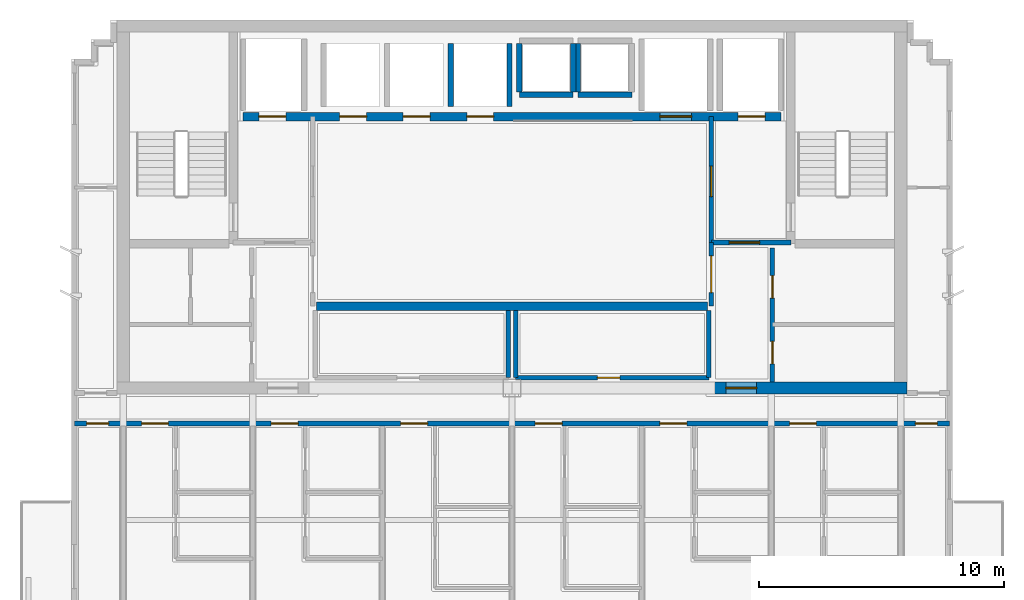
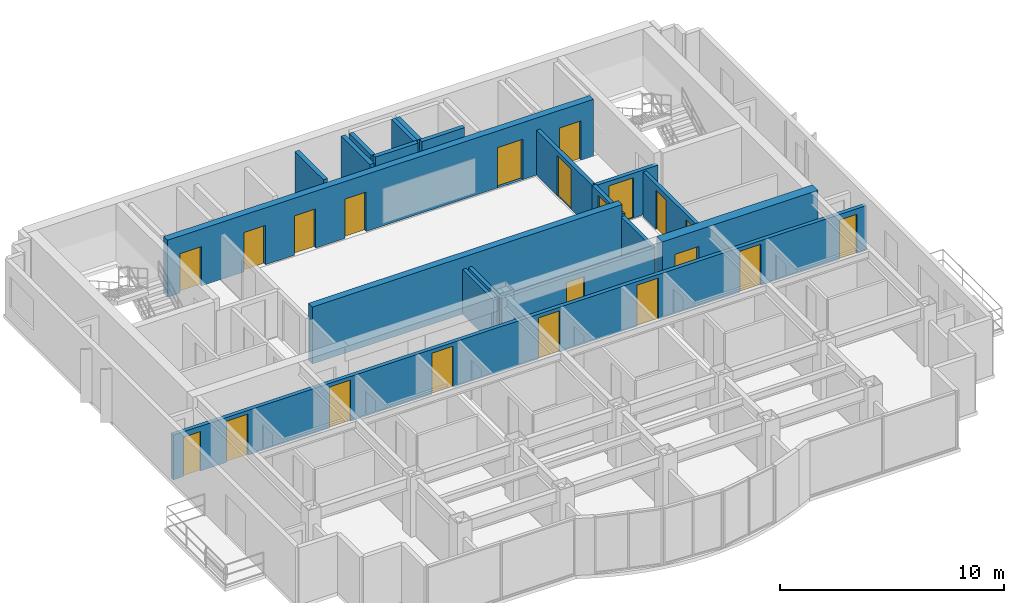
# One storey, part 5 of 9: 21 doors, 19 walls, 21 openings.
"""IFC4 building model written with IfcOpenShell, lengths in metres."""

import ifcopenshell
import ifcopenshell.guid

model = None  # the IFC model being written
_history = None  # IfcOwnerHistory: only IFC2X3 demands one
_inside = {}  # id of a spatial element -> (the spatial element, [elements in it])
_under = {}  # id of a project, library or spatial element -> (it, [spatial elements below it])
_declared = {}  # id of a project -> (the project, [libraries it declares])
_typed = {}  # id of a type object -> (the type object, [elements of that type])
_made_of = {}  # id of a material, layer set ... -> (it, [elements and type objects made of it])


def new_model(schema):
    """Start an empty IFC model of exactly this schema.

    Asked for "IFC4X3", IfcOpenShell would pick the latest addendum, in which some entities
    have other attributes; the version numbers below select the first issue.
    IFC2X3 requires an IfcOwnerHistory on every rooted entity: one is made here for all.
    """
    global model, _history
    if schema == "IFC4X3":
        model = ifcopenshell.file(schema_version=(4, 3, 0, 0))
    else:
        model = ifcopenshell.file(schema=schema)
    _inside.clear()
    _under.clear()
    _declared.clear()
    _typed.clear()
    _made_of.clear()
    _history = None
    if model.schema == "IFC2X3":
        org = make("IfcOrganization", Name="unknown")
        user = make(
            "IfcPersonAndOrganization",
            ThePerson=make("IfcPerson", FamilyName="unknown"),
            TheOrganization=org,
        )
        app = make(
            "IfcApplication",
            ApplicationDeveloper=org,
            Version="unknown",
            ApplicationFullName="unknown",
            ApplicationIdentifier="unknown",
        )
        _history = make(
            "IfcOwnerHistory",
            OwningUser=user,
            OwningApplication=app,
            ChangeAction="ADDED",
            CreationDate=0,
        )
    return model


def make(cls, **values):
    """One entity of the class cls with the attributes given. An attribute that is None is left unset."""
    return model.create_entity(
        cls, **{name: value for name, value in values.items() if value is not None}
    )


def rooted(cls, **values):
    """An entity with a GlobalId (a new one), such as an element, a storey or a relation."""
    return make(cls, GlobalId=ifcopenshell.guid.new(), OwnerHistory=_history, **values)


def si_unit(unit_type, name, prefix=None):
    """IfcSIUnit, for example si_unit("LENGTHUNIT", "METRE", prefix="MILLI")."""
    return make("IfcSIUnit", UnitType=unit_type, Prefix=prefix, Name=name)


def assignment(units):
    """IfcUnitAssignment: the units of a project."""
    return None if units is None else make("IfcUnitAssignment", Units=units)


def point(xyz):
    """IfcCartesianPoint."""
    return None if xyz is None else make("IfcCartesianPoint", Coordinates=xyz)


def direction(xyz):
    """IfcDirection."""
    return None if xyz is None else make("IfcDirection", DirectionRatios=xyz)


def frame(location, z_axis=None, x_axis=None):
    """IfcAxis2Placement3D, a coordinate frame: its origin and axes. An axis left out is left unset."""
    return make(
        "IfcAxis2Placement3D",
        Location=point(location),
        Axis=direction(z_axis),
        RefDirection=direction(x_axis),
    )


def frame_2d(location, x_axis=None):
    """IfcAxis2Placement2D, a coordinate frame in the plane: its origin and x axis."""
    return make(
        "IfcAxis2Placement2D", Location=point(location), RefDirection=direction(x_axis)
    )


def origin():
    """The frame at (0, 0, 0) with its axes left unset."""
    return frame((0.0, 0.0, 0.0))


def place(relative_to, where):
    """IfcLocalPlacement: puts the frame where relative to a parent placement (None: the world)."""
    return make(
        "IfcLocalPlacement", PlacementRelTo=relative_to, RelativePlacement=where
    )


def context(
    kind, dimensions, precision=None, world=None, true_north=None, identifier=None
):
    """IfcGeometricRepresentationContext, for example the 3D "Model" context."""
    return make(
        "IfcGeometricRepresentationContext",
        ContextIdentifier=identifier,
        ContextType=kind,
        CoordinateSpaceDimension=dimensions,
        Precision=precision,
        WorldCoordinateSystem=world,
        TrueNorth=true_north,
    )


def subcontext(parent, identifier, kind, view, scale=None):
    """IfcGeometricRepresentationSubContext, for example "Body" below "Model"."""
    return make(
        "IfcGeometricRepresentationSubContext",
        ContextIdentifier=identifier,
        ContextType=kind,
        ParentContext=parent,
        TargetScale=scale,
        TargetView=view,
    )


def project(units=None, contexts=None):
    """IfcProject with its units and contexts."""
    return rooted(
        "IfcProject",
        Name="project",
        RepresentationContexts=contexts,
        UnitsInContext=assignment(units),
    )


def spatial(cls, under=None, at=None, **own):
    """A site, building, storey or space (cls), placed at a placement, below another one or the project."""
    s = rooted(cls, ObjectPlacement=at, **own)
    if under is not None:
        _under.setdefault(under.id(), (under, []))[1].append(s)
    return s


def profile(cls, at=None, kind="AREA", **sizes):
    """A parametric profile (cls). Its sizes go by their IFC names, for example OverallWidth=200.0."""
    return make(cls, ProfileType=kind, Position=at, **sizes)


def rectangle(**sizes):
    """IfcRectangleProfileDef."""
    return profile("IfcRectangleProfileDef", **sizes)


def extrude(swept, where, along, depth):
    """IfcExtrudedAreaSolid: the profile swept, set in the frame where, extruded along a direction by depth."""
    return make(
        "IfcExtrudedAreaSolid",
        SweptArea=swept,
        Position=where,
        ExtrudedDirection=direction(along),
        Depth=depth,
    )


def shape(context_of_items, identifier, shape_type, items):
    """IfcShapeRepresentation: the items that make up one representation, for example the "Body"."""
    return make(
        "IfcShapeRepresentation",
        ContextOfItems=context_of_items,
        RepresentationIdentifier=identifier,
        RepresentationType=shape_type,
        Items=items,
    )


def material(Name=None, Category=None):
    """IfcMaterial."""
    return make("IfcMaterial", Name=Name, Category=Category)


def layer(
    of_material, thickness, ventilated=None, Name=None, Category=None, Priority=None
):
    """IfcMaterialLayer: one layer of a wall or slab, of a material (None: an air gap)."""
    return make(
        "IfcMaterialLayer",
        Material=of_material,
        LayerThickness=thickness,
        IsVentilated=ventilated,
        Name=Name,
        Category=Category,
        Priority=Priority,
    )


def layer_set(layers, Name=None):
    """IfcMaterialLayerSet."""
    return make("IfcMaterialLayerSet", MaterialLayers=layers, LayerSetName=Name)


def made_of(thing, what):
    """Note that an element or type object is made of a material, layer set ...; save() writes the relation."""
    if what is not None:
        _made_of.setdefault(what.id(), (what, []))[1].append(thing)
    return thing


def type_object(cls, material=None, **own):
    """A type object (cls), such as IfcWallType, which elements share."""
    return made_of(rooted(cls, **own), material)


def element(
    cls,
    number,
    at=None,
    inside=None,
    cuts=None,
    type_object=None,
    material=None,
    context=None,
    identifier="Body",
    shape_type=None,
    held_by="IfcProductDefinitionShape",
    body=None,
    shapes=None,
    **own,
):
    """One element of the class cls, such as IfcWall. Its Tag is "e" and its number.

    at: its placement. inside: the storey or other place that contains it. cuts: it is an
    opening in that element (IfcRelVoidsElement). A single representation is given by context,
    identifier, shape_type and body (its items); several are given by shapes. held_by: the class
    of the entity that holds the representations. save() writes the other relations.
    """
    e = rooted(cls, Tag="e%d" % number, ObjectPlacement=at, **own)
    if body is not None:
        shapes = [shape(context, identifier, shape_type, body)]
    if shapes is not None:
        e.Representation = make(held_by, Representations=shapes)
    if inside is not None:
        _inside.setdefault(inside.id(), (inside, []))[1].append(e)
    if cuts is not None:
        rooted(
            "IfcRelVoidsElement", RelatingBuildingElement=cuts, RelatedOpeningElement=e
        )
    if type_object is not None:
        _typed.setdefault(type_object.id(), (type_object, []))[1].append(e)
    return made_of(e, material)


def fill(opening, filler):
    """IfcRelFillsElement: the door or window that sits in an opening."""
    return rooted(
        "IfcRelFillsElement",
        RelatingOpeningElement=opening,
        RelatedBuildingElement=filler,
    )


def aggregate(whole, parts):
    """IfcRelAggregates: a whole, such as a stair, and the parts it consists of."""
    return rooted("IfcRelAggregates", RelatingObject=whole, RelatedObjects=parts)


def save(model, path):
    """Write the relations noted so far, then the file.

    IfcRelAggregates (storeys below a building ...), IfcRelContainedInSpatialStructure (elements
    in a storey), IfcRelDefinesByType, IfcRelAssociatesMaterial and IfcRelDeclares: one each for
    every whole, place, type object, material and project.
    """
    for whole, parts in _under.values():
        aggregate(whole, parts)
    for where, things in _inside.values():
        rooted(
            "IfcRelContainedInSpatialStructure",
            RelatedElements=things,
            RelatingStructure=where,
        )
    for kind, things in _typed.values():
        rooted("IfcRelDefinesByType", RelatedObjects=things, RelatingType=kind)
    for what, things in _made_of.values():
        rooted("IfcRelAssociatesMaterial", RelatedObjects=things, RelatingMaterial=what)
    for by, libraries in _declared.values():
        rooted("IfcRelDeclares", RelatingContext=by, RelatedDefinitions=libraries)
    model.write(path)


model = new_model("IFC4")

# Units and contexts
model_context = context("Model", 3, precision=1e-05, world=origin(), true_north=direction((0.0, 1.0)))
body_context = subcontext(model_context, "Body", "Model", "MODEL_VIEW")
ifc_project = project(units=[si_unit("LENGTHUNIT", "METRE"), si_unit("AREAUNIT", "SQUARE_METRE"), si_unit("VOLUMEUNIT", "CUBIC_METRE"), si_unit("PLANEANGLEUNIT", "RADIAN"), si_unit("MASSUNIT", "GRAM", prefix="KILO")], contexts=[model_context])

# Site, building, storey
site_placement = place(None, origin())
site = spatial("IfcSite", under=ifc_project, at=site_placement, CompositionType="ELEMENT")
building_placement = place(site_placement, origin())
building = spatial("IfcBuilding", under=site, at=building_placement, Name="Qianlan Lanfeng Residences", CompositionType="ELEMENT")
storey_placement = place(building_placement, frame((0.0, 0.0, 233.0)))
storey = spatial("IfcBuildingStorey", under=building, at=storey_placement, Name="L64", CompositionType="ELEMENT", Elevation=233.0)

# Wall, openings, doors
ifc_material_1 = material(Name="Concrete C49", Category="concrete")
ifc_layer_1 = layer(ifc_material_1, 0.35009765625)
ifc_layer_set_1 = layer_set([ifc_layer_1], Name="Concrete C49")
wall_type_1 = type_object("IfcWallType", Name="CW-RC-350", PredefinedType="SHEAR", material=ifc_layer_set_1)
wall_1_placement = place(storey_placement, frame((15.5, 36.300048828125, 0.0), z_axis=(0.0, 0.0, 1.0), x_axis=(1.0, 0.0, 0.0)))
wall_1 = element("IfcWall", 1, at=wall_1_placement, inside=storey, type_object=wall_type_1, Name="L64 Core Shear Wall LBN", PredefinedType="SHEAR", context=body_context, shape_type="SweptSolid", body=[
    extrude(rectangle(XDim=22.0, YDim=0.35009765625, at=frame_2d((11.0, 0.0))), origin(), (0.0, 0.0, 1.0), 3.110107421875),
])
opening_1_placement = place(wall_1_placement, frame((0.64990234375, 0.0, 0.0)))
opening_1 = element("IfcOpeningElement", 2, at=opening_1_placement, cuts=wall_1, Name="Opening L64-LD-FFL-1", PredefinedType="OPENING", context=body_context, shape_type="SweptSolid", body=[
    extrude(rectangle(XDim=1.10009765625, YDim=2.14990234375, at=frame_2d((0.550048828125, 1.074951171875))), frame((0.0, 0.18505859375, 0.0), z_axis=(0.0, -1.0, 0.0), x_axis=(1.0, 0.0, 0.0)), (0.0, 0.0, 1.0), 0.3701171875),
])
opening_2_placement = place(wall_1_placement, frame((20.25, 0.0, 0.0)))
opening_2 = element("IfcOpeningElement", 3, at=opening_2_placement, cuts=wall_1, Name="Opening L64-LD-FFL-2", PredefinedType="OPENING", context=body_context, shape_type="SweptSolid", body=[
    extrude(rectangle(XDim=1.10009765625, YDim=2.14990234375, at=frame_2d((0.550048828125, 1.074951171875))), frame((0.0, 0.18505859375, 0.0), z_axis=(0.0, -1.0, 0.0), x_axis=(1.0, 0.0, 0.0)), (0.0, 0.0, 1.0), 0.3701171875),
])
opening_3_placement = place(wall_1_placement, frame((17.050048828125, 0.0, 0.0)))
opening_3 = element("IfcOpeningElement", 4, at=opening_3_placement, cuts=wall_1, Name="Opening L64-LD-SVL-1", PredefinedType="OPENING", context=body_context, shape_type="SweptSolid", body=[
    extrude(rectangle(XDim=1.300048828125, YDim=2.199951171875, at=frame_2d((0.64990234375, 1.10009765625))), frame((0.0, 0.18505859375, 0.0), z_axis=(0.0, -1.0, 0.0), x_axis=(1.0, 0.0, 0.0)), (0.0, 0.0, 1.0), 0.3701171875),
])
opening_4_placement = place(wall_1_placement, frame((3.949951171875, 0.0, 0.0)))
opening_4 = element("IfcOpeningElement", 5, at=opening_4_placement, cuts=wall_1, Name="Opening L64-LD-PL-H1", PredefinedType="OPENING", context=body_context, shape_type="SweptSolid", body=[
    extrude(rectangle(XDim=1.10009765625, YDim=2.14990234375, at=frame_2d((0.550048828125, 1.074951171875))), frame((0.0, 0.18505859375, 0.0), z_axis=(0.0, -1.0, 0.0), x_axis=(1.0, 0.0, 0.0)), (0.0, 0.0, 1.0), 0.3701171875),
])
opening_5_placement = place(wall_1_placement, frame((6.550048828125, 0.0, 0.0)))
opening_5 = element("IfcOpeningElement", 6, at=opening_5_placement, cuts=wall_1, Name="Opening L64-LD-PL-H2", PredefinedType="OPENING", context=body_context, shape_type="SweptSolid", body=[
    extrude(rectangle(XDim=1.10009765625, YDim=2.14990234375, at=frame_2d((0.550048828125, 1.074951171875))), frame((0.0, 0.18505859375, 0.0), z_axis=(0.0, -1.0, 0.0), x_axis=(1.0, 0.0, 0.0)), (0.0, 0.0, 1.0), 0.3701171875),
])
opening_6_placement = place(wall_1_placement, frame((9.14990234375, 0.0, 0.0)))
opening_6 = element("IfcOpeningElement", 7, at=opening_6_placement, cuts=wall_1, Name="Opening L64-LD-PL-H3", PredefinedType="OPENING", context=body_context, shape_type="SweptSolid", body=[
    extrude(rectangle(XDim=1.10009765625, YDim=2.14990234375, at=frame_2d((0.550048828125, 1.074951171875))), frame((0.0, 0.18505859375, 0.0), z_axis=(0.0, -1.0, 0.0), x_axis=(1.0, 0.0, 0.0)), (0.0, 0.0, 1.0), 0.3701171875),
])
ifc_material_2 = material(Name="Brushed Stainless Steel Sliding Lift Door", Category="steel")
door_type_1 = type_object("IfcDoorType", Name="LD-01", OperationType="NOTDEFINED", PredefinedType="DOOR", material=ifc_material_2)
door_1_placement = place(opening_1_placement, frame((1.10009765625, 0.0, 0.0), z_axis=(0.0, 0.0, 1.0), x_axis=(-1.0, 0.0, 0.0)))
door_1 = element("IfcDoor", 8, at=door_1_placement, inside=storey, type_object=door_type_1, Name="L64 Elevator FFL-1 Sliding Landing Door", OperationType="DOUBLE_DOOR_SLIDING", OverallHeight=2.14990234375, OverallWidth=1.10009765625, PredefinedType="DOOR", context=body_context, shape_type="SweptSolid", body=[
    extrude(rectangle(XDim=1.10009765625, YDim=2.14990234375, at=frame_2d((0.550048828125, 1.074951171875))), frame((0.0, 0.02490234375, 0.0), z_axis=(0.0, -1.0, 0.0), x_axis=(1.0, 0.0, 0.0)), (0.0, 0.0, 1.0), 0.050048828125),
])
fill(opening_1, door_1)
door_2_placement = place(opening_2_placement, frame((1.10009765625, 0.0, 0.0), z_axis=(0.0, 0.0, 1.0), x_axis=(-1.0, 0.0, 0.0)))
door_2 = element("IfcDoor", 9, at=door_2_placement, inside=storey, type_object=door_type_1, Name="L64 Elevator FFL-2 Sliding Landing Door", OperationType="DOUBLE_DOOR_SLIDING", OverallHeight=2.14990234375, OverallWidth=1.10009765625, PredefinedType="DOOR", context=body_context, shape_type="SweptSolid", body=[
    extrude(rectangle(XDim=1.10009765625, YDim=2.14990234375, at=frame_2d((0.550048828125, 1.074951171875))), frame((0.0, 0.02490234375, 0.0), z_axis=(0.0, -1.0, 0.0), x_axis=(1.0, 0.0, 0.0)), (0.0, 0.0, 1.0), 0.050048828125),
])
fill(opening_2, door_2)
door_3_placement = place(opening_4_placement, frame((1.10009765625, 0.0, 0.0), z_axis=(0.0, 0.0, 1.0), x_axis=(-1.0, 0.0, 0.0)))
door_3 = element("IfcDoor", 10, at=door_3_placement, inside=storey, type_object=door_type_1, Name="L64 Elevator PL-H1 Sliding Landing Door", OperationType="DOUBLE_DOOR_SLIDING", OverallHeight=2.14990234375, OverallWidth=1.10009765625, PredefinedType="DOOR", context=body_context, shape_type="SweptSolid", body=[
    extrude(rectangle(XDim=1.10009765625, YDim=2.14990234375, at=frame_2d((0.550048828125, 1.074951171875))), frame((0.0, 0.02490234375, 0.0), z_axis=(0.0, -1.0, 0.0), x_axis=(1.0, 0.0, 0.0)), (0.0, 0.0, 1.0), 0.050048828125),
])
fill(opening_4, door_3)
door_4_placement = place(opening_5_placement, frame((1.10009765625, 0.0, 0.0), z_axis=(0.0, 0.0, 1.0), x_axis=(-1.0, 0.0, 0.0)))
door_4 = element("IfcDoor", 11, at=door_4_placement, inside=storey, type_object=door_type_1, Name="L64 Elevator PL-H2 Sliding Landing Door", OperationType="DOUBLE_DOOR_SLIDING", OverallHeight=2.14990234375, OverallWidth=1.10009765625, PredefinedType="DOOR", context=body_context, shape_type="SweptSolid", body=[
    extrude(rectangle(XDim=1.10009765625, YDim=2.14990234375, at=frame_2d((0.550048828125, 1.074951171875))), frame((0.0, 0.02490234375, 0.0), z_axis=(0.0, -1.0, 0.0), x_axis=(1.0, 0.0, 0.0)), (0.0, 0.0, 1.0), 0.050048828125),
])
fill(opening_5, door_4)
door_5_placement = place(opening_6_placement, frame((1.10009765625, 0.0, 0.0), z_axis=(0.0, 0.0, 1.0), x_axis=(-1.0, 0.0, 0.0)))
door_5 = element("IfcDoor", 12, at=door_5_placement, inside=storey, type_object=door_type_1, Name="L64 Elevator PL-H3 Sliding Landing Door", OperationType="DOUBLE_DOOR_SLIDING", OverallHeight=2.14990234375, OverallWidth=1.10009765625, PredefinedType="DOOR", context=body_context, shape_type="SweptSolid", body=[
    extrude(rectangle(XDim=1.10009765625, YDim=2.14990234375, at=frame_2d((0.550048828125, 1.074951171875))), frame((0.0, 0.02490234375, 0.0), z_axis=(0.0, -1.0, 0.0), x_axis=(1.0, 0.0, 0.0)), (0.0, 0.0, 1.0), 0.050048828125),
])
fill(opening_6, door_5)
door_type_2 = type_object("IfcDoorType", Name="LD-02", OperationType="NOTDEFINED", PredefinedType="DOOR", material=ifc_material_2)
door_6_placement = place(opening_3_placement, frame((1.300048828125, 0.0, 0.0), z_axis=(0.0, 0.0, 1.0), x_axis=(-1.0, 0.0, 0.0)))
door_6 = element("IfcDoor", 13, at=door_6_placement, inside=storey, type_object=door_type_2, Name="L64 Elevator SVL-1 Sliding Landing Door", OperationType="DOUBLE_DOOR_SLIDING", OverallHeight=2.199951171875, OverallWidth=1.300048828125, PredefinedType="DOOR", context=body_context, shape_type="SweptSolid", body=[
    extrude(rectangle(XDim=1.300048828125, YDim=2.199951171875, at=frame_2d((0.64990234375, 1.10009765625))), frame((0.0, 0.02490234375, 0.0), z_axis=(0.0, -1.0, 0.0), x_axis=(1.0, 0.0, 0.0)), (0.0, 0.0, 1.0), 0.050048828125),
])
fill(opening_3, door_6)

# Wall
wall_2_placement = place(storey_placement, frame((18.5, 28.550048828125, 0.0), z_axis=(0.0, 0.0, 1.0), x_axis=(1.0, 0.0, 0.0)))
element("IfcWall", 14, at=wall_2_placement, inside=storey, type_object=wall_type_1, Name="L64 Core Shear Wall LBS", PredefinedType="SHEAR", context=body_context, shape_type="SweptSolid", body=[
    extrude(rectangle(XDim=16.0, YDim=0.35009765625, at=frame_2d((8.0, 0.0))), origin(), (0.0, 0.0, 1.0), 3.110107421875),
])

# Wall, opening, door
ifc_material_3 = material(Name="Concrete C70", Category="concrete")
ifc_layer_2 = layer(ifc_material_3, 0.5)
ifc_layer_set_2 = layer_set([ifc_layer_2], Name="Concrete C70")
wall_type_2 = type_object("IfcWallType", Name="CW-RC-500", PredefinedType="SHEAR", material=ifc_layer_set_2)
wall_3_placement = place(storey_placement, frame((34.60009765625, 25.199951171875, 0.0), z_axis=(0.0, 0.0, 1.0), x_axis=(1.0, 0.0, 0.0)))
wall_3 = element("IfcWall", 15, at=wall_3_placement, inside=storey, type_object=wall_type_2, Name="L64 Core Shear Wall SE", PredefinedType="SHEAR", context=body_context, shape_type="SweptSolid", body=[
    extrude(rectangle(XDim=8.0498046875, YDim=0.5, at=frame_2d((4.02490234375, 0.0))), origin(), (0.0, 0.0, 1.0), 3.110107421875),
])
opening_7_placement = place(wall_3_placement, frame((0.64990234375, 0.0, 0.0)))
opening_7 = element("IfcOpeningElement", 16, at=opening_7_placement, cuts=wall_3, Name="Opening L64-D02", PredefinedType="OPENING", context=body_context, shape_type="SweptSolid", body=[
    extrude(rectangle(XDim=1.25, YDim=2.199951171875, at=frame_2d((0.625, 1.10009765625))), frame((0.0, 0.260009765625, 0.0), z_axis=(0.0, -1.0, 0.0), x_axis=(1.0, 0.0, 0.0)), (0.0, 0.0, 1.0), 0.52001953125),
])
ifc_material_4 = material(Name="Painted Galvanised Steel Fire Door", Category="steel")
door_type_3 = type_object("IfcDoorType", Name="DT-FFL", OperationType="NOTDEFINED", PredefinedType="DOOR", material=ifc_material_4)
door_7_placement = place(opening_7_placement, frame((1.25, 0.0, 0.0), z_axis=(0.0, 0.0, 1.0), x_axis=(-1.0, 0.0, 0.0)))
door_7 = element("IfcDoor", 17, at=door_7_placement, inside=storey, type_object=door_type_3, Name="L64 East Core Lobby Smoke Door L64-D02 (DT-FFL)", OperationType="SINGLE_SWING_LEFT", OverallHeight=2.199951171875, OverallWidth=1.25, PredefinedType="DOOR", context=body_context, shape_type="SweptSolid", body=[
    extrude(rectangle(XDim=1.25, YDim=2.199951171875, at=frame_2d((0.625, 1.10009765625))), frame((0.0, 0.02490234375, 0.0), z_axis=(0.0, -1.0, 0.0), x_axis=(1.0, 0.0, 0.0)), (0.0, 0.0, 1.0), 0.050048828125),
])
fill(opening_7, door_7)

# Wall, openings, doors
ifc_material_5 = material(Name="Double-Layer Acoustic Gypsum Stud Wall 180 mm")
ifc_layer_3 = layer(ifc_material_5, 0.179931640625)
ifc_layer_set_3 = layer_set([ifc_layer_3], Name="Double-Layer Acoustic Gypsum Stud Wall 180 mm")
wall_type_3 = type_object("IfcWallType", Name="PW-180", PredefinedType="PARTITIONING", material=ifc_layer_set_3)
wall_4_placement = place(storey_placement, frame((37.14990234375, 25.449951171875, 0.0), z_axis=(0.0, 0.0, 1.0), x_axis=(0.0, 1.0, 0.0)))
wall_4 = element("IfcWall", 18, at=wall_4_placement, inside=storey, type_object=wall_type_3, Name="L64 Core East Service Room Wall", PredefinedType="PARTITIONING", context=body_context, shape_type="SweptSolid", body=[
    extrude(rectangle(XDim=5.47509765625, YDim=0.179931640625, at=frame_2d((2.737548828125, 0.0))), origin(), (0.0, 0.0, 1.0), 2.449951171875),
])
opening_8_placement = place(wall_4_placement, frame((0.739990234375, 0.0, 0.0)))
opening_8 = element("IfcOpeningElement", 19, at=opening_8_placement, cuts=wall_4, Name="Opening L64-D12", PredefinedType="OPENING", context=body_context, shape_type="SweptSolid", body=[
    extrude(rectangle(XDim=0.919921875, YDim=2.14990234375, at=frame_2d((0.4599609375, 1.074951171875))), frame((0.0, 0.10009765625, 0.0), z_axis=(0.0, -1.0, 0.0), x_axis=(1.0, 0.0, 0.0)), (0.0, 0.0, 1.0), 0.199951171875),
])
opening_9_placement = place(wall_4_placement, frame((3.427001953125, 0.0, 0.0)))
opening_9 = element("IfcOpeningElement", 20, at=opening_9_placement, cuts=wall_4, Name="Opening L64-D13", PredefinedType="OPENING", context=body_context, shape_type="SweptSolid", body=[
    extrude(rectangle(XDim=0.919921875, YDim=2.14990234375, at=frame_2d((0.4599609375, 1.074951171875))), frame((0.0, 0.10009765625, 0.0), z_axis=(0.0, -1.0, 0.0), x_axis=(1.0, 0.0, 0.0)), (0.0, 0.0, 1.0), 0.199951171875),
])
ifc_material_6 = material(Name="Glazed Timber Kitchen/Study Door", Category="wood")
door_type_4 = type_object("IfcDoorType", Name="DT-INT", OperationType="NOTDEFINED", PredefinedType="DOOR", material=ifc_material_6)
door_8_placement = place(opening_8_placement, origin())
door_8 = element("IfcDoor", 21, at=door_8_placement, inside=storey, type_object=door_type_4, Name="L64 Mail Closet Door L64-D12 (DT-INT)", OperationType="SINGLE_SWING_LEFT", OverallHeight=2.14990234375, OverallWidth=0.919921875, PredefinedType="DOOR", context=body_context, shape_type="SweptSolid", body=[
    extrude(rectangle(XDim=0.919921875, YDim=2.14990234375, at=frame_2d((0.4599609375, 1.074951171875))), frame((0.0, 0.02490234375, 0.0), z_axis=(0.0, -1.0, 0.0), x_axis=(1.0, 0.0, 0.0)), (0.0, 0.0, 1.0), 0.050048828125),
])
fill(opening_8, door_8)
door_9_placement = place(opening_9_placement, origin())
door_9 = element("IfcDoor", 22, at=door_9_placement, inside=storey, type_object=door_type_4, Name="L64 Refuse Closet Door L64-D13 (DT-INT)", OperationType="SINGLE_SWING_LEFT", OverallHeight=2.14990234375, OverallWidth=0.919921875, PredefinedType="DOOR", context=body_context, shape_type="SweptSolid", body=[
    extrude(rectangle(XDim=0.919921875, YDim=2.14990234375, at=frame_2d((0.4599609375, 1.074951171875))), frame((0.0, 0.02490234375, 0.0), z_axis=(0.0, -1.0, 0.0), x_axis=(1.0, 0.0, 0.0)), (0.0, 0.0, 1.0), 0.050048828125),
])
fill(opening_9, door_9)

# Walls
for number, where, z_axis, x_axis, name in (
    (23, (26.35009765625, 25.6201171875, 0.0), (0.0, 0.0, 1.0), (0.0, 1.0, 0.0), "L64 Reclaimed Low-Bank Room East Wall"),
    (24, (26.64990234375, 25.6201171875, 0.0), (0.0, 0.0, 1.0), (0.0, 1.0, 0.0), "L64 Reclaimed Mid-Bank Room West Wall"),
    (25, (34.550048828125, 25.6201171875, 0.0), (0.0, 0.0, 1.0), (0.0, 1.0, 0.0), "L64 Reclaimed Mid-Bank Room East Wall"),
):
    element("IfcWall", number, at=place(storey_placement, frame(where, z_axis=z_axis, x_axis=x_axis)), inside=storey, type_object=wall_type_3, Name=name, PredefinedType="PARTITIONING", context=body_context, shape_type="SweptSolid", body=[
        extrude(rectangle(XDim=2.7548828125, YDim=0.179931640625, at=frame_2d((1.37744140625, 0.0))), origin(), (0.0, 0.0, 1.0), 2.449951171875),
    ])

# Wall, opening, door
wall_5_placement = place(storey_placement, frame((26.64990234375, 25.6201171875, 0.0), z_axis=(0.0, 0.0, 1.0), x_axis=(1.0, 0.0, 0.0)))
wall_5 = element("IfcWall", 26, at=wall_5_placement, inside=storey, type_object=wall_type_3, Name="L64 Reclaimed Mid-Bank Room South Wall", PredefinedType="PARTITIONING", context=body_context, shape_type="SweptSolid", body=[
    extrude(rectangle(XDim=7.900146484375, YDim=0.179931640625, at=frame_2d((3.9501953125, 0.0))), origin(), (0.0, 0.0, 1.0), 2.449951171875),
])
opening_10_placement = place(wall_5_placement, frame((3.340087890625, 0.0, 0.0)))
opening_10 = element("IfcOpeningElement", 27, at=opening_10_placement, cuts=wall_5, Name="Opening L64-D17", PredefinedType="OPENING", context=body_context, shape_type="SweptSolid", body=[
    extrude(rectangle(XDim=0.919921875, YDim=2.14990234375, at=frame_2d((0.4599609375, 1.074951171875))), frame((0.0, 0.10009765625, 0.0), z_axis=(0.0, -1.0, 0.0), x_axis=(1.0, 0.0, 0.0)), (0.0, 0.0, 1.0), 0.199951171875),
])
door_10_placement = place(opening_10_placement, origin())
door_10 = element("IfcDoor", 28, at=door_10_placement, inside=storey, type_object=door_type_4, Name="L64 Reclaimed Mid-Bank Salon Door L64-D17 (DT-INT)", OperationType="SINGLE_SWING_LEFT", OverallHeight=2.14990234375, OverallWidth=0.919921875, PredefinedType="DOOR", context=body_context, shape_type="SweptSolid", body=[
    extrude(rectangle(XDim=0.919921875, YDim=2.14990234375, at=frame_2d((0.4599609375, 1.074951171875))), frame((0.0, 0.02490234375, 0.0), z_axis=(0.0, -1.0, 0.0), x_axis=(1.0, 0.0, 0.0)), (0.0, 0.0, 1.0), 0.050048828125),
])
fill(opening_10, door_10)

ifc_material_7 = material(Name="Autoclaved Aerated Concrete Blockwork 200 mm", Category="masonry")
ifc_layer_4 = layer(ifc_material_7, 0.199951171875)
ifc_layer_set_4 = layer_set([ifc_layer_4], Name="Autoclaved Aerated Concrete Blockwork 200 mm")
wall_type_4 = type_object("IfcWallType", Name="PW-200", PredefinedType="PARTITIONING", material=ifc_layer_set_4)
wall_6_placement = place(storey_placement, frame((34.64990234375, 31.14990234375, 0.0), z_axis=(0.0, 0.0, 1.0), x_axis=(1.0, 0.0, 0.0)))
wall_6 = element("IfcWall", 29, at=wall_6_placement, inside=storey, type_object=wall_type_4, Name="L64 Firefighting Lobby 2 South Wall", PredefinedType="PARTITIONING", context=body_context, shape_type="SweptSolid", body=[
    extrude(rectangle(XDim=3.25, YDim=0.199951171875, at=frame_2d((1.625, 0.0))), origin(), (0.0, 0.0, 1.0), 2.449951171875),
])
opening_11_placement = place(wall_6_placement, frame((0.72509765625, 0.0, 0.0)))
opening_11 = element("IfcOpeningElement", 30, at=opening_11_placement, cuts=wall_6, Name="Opening L64-D05", PredefinedType="OPENING", context=body_context, shape_type="SweptSolid", body=[
    extrude(rectangle(XDim=1.25, YDim=2.199951171875, at=frame_2d((0.625, 1.10009765625))), frame((0.0, 0.10986328125, 0.0), z_axis=(0.0, -1.0, 0.0), x_axis=(1.0, 0.0, 0.0)), (0.0, 0.0, 1.0), 0.219970703125),
])
door_11_placement = place(opening_11_placement, origin())
door_11 = element("IfcDoor", 31, at=door_11_placement, inside=storey, type_object=door_type_3, Name="L64 Firefighting Lobby 2 Entry Door L64-D05 (DT-FFL)", OperationType="SINGLE_SWING_RIGHT", OverallHeight=2.199951171875, OverallWidth=1.25, PredefinedType="DOOR", context=body_context, shape_type="SweptSolid", body=[
    extrude(rectangle(XDim=1.25, YDim=2.199951171875, at=frame_2d((0.625, 1.10009765625))), frame((0.0, 0.02490234375, 0.0), z_axis=(0.0, -1.0, 0.0), x_axis=(1.0, 0.0, 0.0)), (0.0, 0.0, 1.0), 0.050048828125),
])
fill(opening_11, door_11)

wall_7_placement = place(storey_placement, frame((34.64990234375, 31.14990234375, 0.0), z_axis=(0.0, 0.0, 1.0), x_axis=(0.0, 1.0, 0.0)))
wall_7 = element("IfcWall", 32, at=wall_7_placement, inside=storey, type_object=wall_type_4, Name="L64 Firefighting Lobby 2 West Wall", PredefinedType="PARTITIONING", context=body_context, shape_type="SweptSolid", body=[
    extrude(rectangle(XDim=5.150146484375, YDim=0.199951171875, at=frame_2d((2.5751953125, 0.0))), origin(), (0.0, 0.0, 1.0), 2.449951171875),
])
opening_12_placement = place(wall_7_placement, frame((1.875, 0.0, 0.0)))
opening_12 = element("IfcOpeningElement", 33, at=opening_12_placement, cuts=wall_7, Name="Opening L64-D06", PredefinedType="OPENING", context=body_context, shape_type="SweptSolid", body=[
    extrude(rectangle(XDim=1.25, YDim=2.199951171875, at=frame_2d((0.625, 1.10009765625))), frame((0.0, 0.10986328125, 0.0), z_axis=(0.0, -1.0, 0.0), x_axis=(1.0, 0.0, 0.0)), (0.0, 0.0, 1.0), 0.219970703125),
])
door_12_placement = place(opening_12_placement, origin())
door_12 = element("IfcDoor", 34, at=door_12_placement, inside=storey, type_object=door_type_3, Name="L64 Firefighting Lobby 2 Lift Lobby Door L64-D06 (DT-FFL)", OperationType="SINGLE_SWING_RIGHT", OverallHeight=2.199951171875, OverallWidth=1.25, PredefinedType="DOOR", context=body_context, shape_type="SweptSolid", body=[
    extrude(rectangle(XDim=1.25, YDim=2.199951171875, at=frame_2d((0.625, 1.10009765625))), frame((0.0, 0.02490234375, 0.0), z_axis=(0.0, -1.0, 0.0), x_axis=(1.0, 0.0, 0.0)), (0.0, 0.0, 1.0), 0.050048828125),
])
fill(opening_12, door_12)

wall_8_placement = place(storey_placement, frame((34.64990234375, 28.550048828125, 0.0), z_axis=(0.0, 0.0, 1.0), x_axis=(0.0, 1.0, 0.0)))
wall_8 = element("IfcWall", 35, at=wall_8_placement, inside=storey, type_object=wall_type_4, Name="L64 Lift Lobby East Connector Wall", PredefinedType="PARTITIONING", context=body_context, shape_type="SweptSolid", body=[
    extrude(rectangle(XDim=2.599853515625, YDim=0.199951171875, at=frame_2d((1.2998046875, 0.0))), origin(), (0.0, 0.0, 1.0), 2.449951171875),
])
opening_13_placement = place(wall_8_placement, frame((0.550048828125, 0.0, 0.0)))
opening_13 = element("IfcOpeningElement", 36, at=opening_13_placement, cuts=wall_8, Name="Opening L64-D15", PredefinedType="OPENING", context=body_context, shape_type="SweptSolid", body=[
    extrude(rectangle(XDim=1.5, YDim=2.25, at=frame_2d((0.75, 1.125))), frame((0.0, 0.10986328125, 0.0), z_axis=(0.0, -1.0, 0.0), x_axis=(1.0, 0.0, 0.0)), (0.0, 0.0, 1.0), 0.219970703125),
])
ifc_material_8 = material(Name="Timber Veneer Acoustic Fire Door", Category="wood")
door_type_5 = type_object("IfcDoorType", Name="DT-COR1", OperationType="NOTDEFINED", PredefinedType="DOOR", material=ifc_material_8)
door_13_placement = place(opening_13_placement, frame((1.5, 0.0, 0.0), z_axis=(0.0, 0.0, 1.0), x_axis=(-1.0, 0.0, 0.0)))
door_13 = element("IfcDoor", 37, at=door_13_placement, inside=storey, type_object=door_type_5, Name="L64 Lift Lobby East Portal Door L64-D15 (DT-COR1)", OperationType="DOUBLE_DOOR_SINGLE_SWING", OverallHeight=2.25, OverallWidth=1.5, PredefinedType="DOOR", context=body_context, shape_type="SweptSolid", body=[
    extrude(rectangle(XDim=1.5, YDim=2.25, at=frame_2d((0.75, 1.125))), frame((0.0, 0.02490234375, 0.0), z_axis=(0.0, -1.0, 0.0), x_axis=(1.0, 0.0, 0.0)), (0.0, 0.0, 1.0), 0.050048828125),
])
fill(opening_13, door_13)

# Wall, openings, doors
wall_9_placement = place(storey_placement, frame((8.60009765625, 23.75, 0.0), z_axis=(0.0, 0.0, 1.0), x_axis=(1.0, 0.0, 0.0)))
wall_9 = element("IfcWall", 38, at=wall_9_placement, inside=storey, type_object=wall_type_4, Name="L64 Residential Corridor South Fire Wall", PredefinedType="PARTITIONING", context=body_context, shape_type="SweptSolid", body=[
    extrude(rectangle(XDim=35.7998046875, YDim=0.199951171875, at=frame_2d((17.89990234375, 0.0))), origin(), (0.0, 0.0, 1.0), 2.449951171875),
])
opening_14_placement = place(wall_9_placement, frame((2.75, 0.0, 0.0)))
opening_14 = element("IfcOpeningElement", 39, at=opening_14_placement, cuts=wall_9, Name="Opening L64-D18", PredefinedType="OPENING", context=body_context, shape_type="SweptSolid", body=[
    extrude(rectangle(XDim=1.10009765625, YDim=2.25, at=frame_2d((0.550048828125, 1.125))), frame((0.0, 0.10986328125, 0.0), z_axis=(0.0, -1.0, 0.0), x_axis=(1.0, 0.0, 0.0)), (0.0, 0.0, 1.0), 0.219970703125),
])
opening_15_placement = place(wall_9_placement, frame((8.050048828125, 0.0, 0.0)))
opening_15 = element("IfcOpeningElement", 40, at=opening_15_placement, cuts=wall_9, Name="Opening L64-D21", PredefinedType="OPENING", context=body_context, shape_type="SweptSolid", body=[
    extrude(rectangle(XDim=1.10009765625, YDim=2.25, at=frame_2d((0.550048828125, 1.125))), frame((0.0, 0.10986328125, 0.0), z_axis=(0.0, -1.0, 0.0), x_axis=(1.0, 0.0, 0.0)), (0.0, 0.0, 1.0), 0.219970703125),
])
opening_16_placement = place(wall_9_placement, frame((13.35009765625, 0.0, 0.0)))
opening_16 = element("IfcOpeningElement", 41, at=opening_16_placement, cuts=wall_9, Name="Opening L64-D24", PredefinedType="OPENING", context=body_context, shape_type="SweptSolid", body=[
    extrude(rectangle(XDim=1.10009765625, YDim=2.25, at=frame_2d((0.550048828125, 1.125))), frame((0.0, 0.10986328125, 0.0), z_axis=(0.0, -1.0, 0.0), x_axis=(1.0, 0.0, 0.0)), (0.0, 0.0, 1.0), 0.219970703125),
])
opening_17_placement = place(wall_9_placement, frame((18.85009765625, 0.0, 0.0)))
opening_17 = element("IfcOpeningElement", 42, at=opening_17_placement, cuts=wall_9, Name="Opening L64-D27", PredefinedType="OPENING", context=body_context, shape_type="SweptSolid", body=[
    extrude(rectangle(XDim=1.10009765625, YDim=2.25, at=frame_2d((0.550048828125, 1.125))), frame((0.0, 0.10986328125, 0.0), z_axis=(0.0, -1.0, 0.0), x_axis=(1.0, 0.0, 0.0)), (0.0, 0.0, 1.0), 0.219970703125),
])
opening_18_placement = place(wall_9_placement, frame((23.949951171875, 0.0, 0.0)))
opening_18 = element("IfcOpeningElement", 43, at=opening_18_placement, cuts=wall_9, Name="Opening L64-D30", PredefinedType="OPENING", context=body_context, shape_type="SweptSolid", body=[
    extrude(rectangle(XDim=1.10009765625, YDim=2.25, at=frame_2d((0.550048828125, 1.125))), frame((0.0, 0.10986328125, 0.0), z_axis=(0.0, -1.0, 0.0), x_axis=(1.0, 0.0, 0.0)), (0.0, 0.0, 1.0), 0.219970703125),
])
opening_19_placement = place(wall_9_placement, frame((29.25, 0.0, 0.0)))
opening_19 = element("IfcOpeningElement", 44, at=opening_19_placement, cuts=wall_9, Name="Opening L64-D33", PredefinedType="OPENING", context=body_context, shape_type="SweptSolid", body=[
    extrude(rectangle(XDim=1.10009765625, YDim=2.25, at=frame_2d((0.550048828125, 1.125))), frame((0.0, 0.10986328125, 0.0), z_axis=(0.0, -1.0, 0.0), x_axis=(1.0, 0.0, 0.0)), (0.0, 0.0, 1.0), 0.219970703125),
])
opening_20_placement = place(wall_9_placement, frame((0.5048828125, 0.0, 0.0)))
opening_20 = element("IfcOpeningElement", 45, at=opening_20_placement, cuts=wall_9, Name="Opening L64-D37", PredefinedType="OPENING", context=body_context, shape_type="SweptSolid", body=[
    extrude(rectangle(XDim=0.89990234375, YDim=2.14990234375, at=frame_2d((0.449951171875, 1.074951171875))), frame((0.0, 0.10986328125, 0.0), z_axis=(0.0, -1.0, 0.0), x_axis=(1.0, 0.0, 0.0)), (0.0, 0.0, 1.0), 0.219970703125),
])
opening_21_placement = place(wall_9_placement, frame((34.39501953125, 0.0, 0.0)))
opening_21 = element("IfcOpeningElement", 46, at=opening_21_placement, cuts=wall_9, Name="Opening L64-D39", PredefinedType="OPENING", context=body_context, shape_type="SweptSolid", body=[
    extrude(rectangle(XDim=0.89990234375, YDim=2.14990234375, at=frame_2d((0.449951171875, 1.074951171875))), frame((0.0, 0.10986328125, 0.0), z_axis=(0.0, -1.0, 0.0), x_axis=(1.0, 0.0, 0.0)), (0.0, 0.0, 1.0), 0.219970703125),
])
ifc_material_9 = material(Name="Solid-Core Oak Veneer Fire Door")
door_type_6 = type_object("IfcDoorType", Name="DT-UNIT", OperationType="NOTDEFINED", PredefinedType="DOOR", material=ifc_material_9)
door_14_placement = place(opening_14_placement, frame((1.10009765625, 0.0, 0.0), z_axis=(0.0, 0.0, 1.0), x_axis=(-1.0, 0.0, 0.0)))
door_14 = element("IfcDoor", 47, at=door_14_placement, inside=storey, type_object=door_type_6, Name="L64 Apartment U01 Entrance Door L64-D18 (DT-UNIT)", OperationType="SINGLE_SWING_RIGHT", OverallHeight=2.25, OverallWidth=1.10009765625, PredefinedType="DOOR", context=body_context, shape_type="SweptSolid", body=[
    extrude(rectangle(XDim=1.10009765625, YDim=2.25, at=frame_2d((0.550048828125, 1.125))), frame((0.0, 0.02490234375, 0.0), z_axis=(0.0, -1.0, 0.0), x_axis=(1.0, 0.0, 0.0)), (0.0, 0.0, 1.0), 0.050048828125),
])
fill(opening_14, door_14)
door_15_placement = place(opening_15_placement, frame((1.10009765625, 0.0, 0.0), z_axis=(0.0, 0.0, 1.0), x_axis=(-1.0, 0.0, 0.0)))
door_15 = element("IfcDoor", 48, at=door_15_placement, inside=storey, type_object=door_type_6, Name="L64 Apartment U02 Entrance Door L64-D21 (DT-UNIT)", OperationType="SINGLE_SWING_RIGHT", OverallHeight=2.25, OverallWidth=1.10009765625, PredefinedType="DOOR", context=body_context, shape_type="SweptSolid", body=[
    extrude(rectangle(XDim=1.10009765625, YDim=2.25, at=frame_2d((0.550048828125, 1.125))), frame((0.0, 0.02490234375, 0.0), z_axis=(0.0, -1.0, 0.0), x_axis=(1.0, 0.0, 0.0)), (0.0, 0.0, 1.0), 0.050048828125),
])
fill(opening_15, door_15)
door_16_placement = place(opening_16_placement, origin())
door_16 = element("IfcDoor", 49, at=door_16_placement, inside=storey, type_object=door_type_6, Name="L64 Apartment U03 Entrance Door L64-D24 (DT-UNIT)", OperationType="SINGLE_SWING_RIGHT", OverallHeight=2.25, OverallWidth=1.10009765625, PredefinedType="DOOR", context=body_context, shape_type="SweptSolid", body=[
    extrude(rectangle(XDim=1.10009765625, YDim=2.25, at=frame_2d((0.550048828125, 1.125))), frame((0.0, 0.02490234375, 0.0), z_axis=(0.0, -1.0, 0.0), x_axis=(1.0, 0.0, 0.0)), (0.0, 0.0, 1.0), 0.050048828125),
])
fill(opening_16, door_16)
door_17_placement = place(opening_17_placement, origin())
door_17 = element("IfcDoor", 50, at=door_17_placement, inside=storey, type_object=door_type_6, Name="L64 Apartment U04 Entrance Door L64-D27 (DT-UNIT)", OperationType="SINGLE_SWING_LEFT", OverallHeight=2.25, OverallWidth=1.10009765625, PredefinedType="DOOR", context=body_context, shape_type="SweptSolid", body=[
    extrude(rectangle(XDim=1.10009765625, YDim=2.25, at=frame_2d((0.550048828125, 1.125))), frame((0.0, 0.02490234375, 0.0), z_axis=(0.0, -1.0, 0.0), x_axis=(1.0, 0.0, 0.0)), (0.0, 0.0, 1.0), 0.050048828125),
])
fill(opening_17, door_17)
door_18_placement = place(opening_18_placement, origin())
door_18 = element("IfcDoor", 51, at=door_18_placement, inside=storey, type_object=door_type_6, Name="L64 Apartment U05 Entrance Door L64-D30 (DT-UNIT)", OperationType="SINGLE_SWING_RIGHT", OverallHeight=2.25, OverallWidth=1.10009765625, PredefinedType="DOOR", context=body_context, shape_type="SweptSolid", body=[
    extrude(rectangle(XDim=1.10009765625, YDim=2.25, at=frame_2d((0.550048828125, 1.125))), frame((0.0, 0.02490234375, 0.0), z_axis=(0.0, -1.0, 0.0), x_axis=(1.0, 0.0, 0.0)), (0.0, 0.0, 1.0), 0.050048828125),
])
fill(opening_18, door_18)
door_19_placement = place(opening_19_placement, frame((1.10009765625, 0.0, 0.0), z_axis=(0.0, 0.0, 1.0), x_axis=(-1.0, 0.0, 0.0)))
door_19 = element("IfcDoor", 52, at=door_19_placement, inside=storey, type_object=door_type_6, Name="L64 Apartment U06 Entrance Door L64-D33 (DT-UNIT)", OperationType="SINGLE_SWING_RIGHT", OverallHeight=2.25, OverallWidth=1.10009765625, PredefinedType="DOOR", context=body_context, shape_type="SweptSolid", body=[
    extrude(rectangle(XDim=1.10009765625, YDim=2.25, at=frame_2d((0.550048828125, 1.125))), frame((0.0, 0.02490234375, 0.0), z_axis=(0.0, -1.0, 0.0), x_axis=(1.0, 0.0, 0.0)), (0.0, 0.0, 1.0), 0.050048828125),
])
fill(opening_19, door_19)
ifc_material_10 = material(Name="Moisture-Resistant Timber Leaf", Category="wood")
door_type_7 = type_object("IfcDoorType", Name="DT-WC", OperationType="NOTDEFINED", PredefinedType="DOOR", material=ifc_material_10)
door_20_placement = place(opening_20_placement, origin())
door_20 = element("IfcDoor", 53, at=door_20_placement, inside=storey, type_object=door_type_7, Name="L64 SWP Corridor Door L64-D37 (DT-WC)", OperationType="SINGLE_SWING_RIGHT", OverallHeight=2.14990234375, OverallWidth=0.89990234375, PredefinedType="DOOR", context=body_context, shape_type="SweptSolid", body=[
    extrude(rectangle(XDim=0.89990234375, YDim=2.14990234375, at=frame_2d((0.449951171875, 1.074951171875))), frame((0.0, 0.02490234375, 0.0), z_axis=(0.0, -1.0, 0.0), x_axis=(1.0, 0.0, 0.0)), (0.0, 0.0, 1.0), 0.050048828125),
])
fill(opening_20, door_20)
door_21_placement = place(opening_21_placement, origin())
door_21 = element("IfcDoor", 54, at=door_21_placement, inside=storey, type_object=door_type_7, Name="L64 SEP Corridor Door L64-D39 (DT-WC)", OperationType="SINGLE_SWING_LEFT", OverallHeight=2.14990234375, OverallWidth=0.89990234375, PredefinedType="DOOR", context=body_context, shape_type="SweptSolid", body=[
    extrude(rectangle(XDim=0.89990234375, YDim=2.14990234375, at=frame_2d((0.449951171875, 1.074951171875))), frame((0.0, 0.02490234375, 0.0), z_axis=(0.0, -1.0, 0.0), x_axis=(1.0, 0.0, 0.0)), (0.0, 0.0, 1.0), 0.050048828125),
])
fill(opening_21, door_21)

# Walls
ifc_layer_5 = layer(ifc_material_1, 0.219970703125)
ifc_layer_set_5 = layer_set([ifc_layer_5], Name="Concrete C49")
wall_type_5 = type_object("IfcWallType", Name="SHW-220", PredefinedType="SOLIDWALL", material=ifc_layer_set_5)
for number, where, z_axis, x_axis, name in (
    (55, (24.0, 36.719970703125, 0.0), (0.0, 0.0, 1.0), (0.0, 1.0, 0.0), "L64 Lift PL-H3 Shaft Wall W"),
    (56, (26.39990234375, 36.719970703125, 0.0), (0.0, 0.0, 1.0), (0.0, 1.0, 0.0), "L64 Lift PL-H3 Shaft Wall E"),
):
    element("IfcWall", number, at=place(storey_placement, frame(where, z_axis=z_axis, x_axis=x_axis)), inside=storey, type_object=wall_type_5, Name=name, PredefinedType="SOLIDWALL", context=body_context, shape_type="SweptSolid", body=[
        extrude(rectangle(XDim=2.56005859375, YDim=0.219970703125, at=frame_2d((1.280029296875, 0.0))), origin(), (0.0, 0.0, 1.0), 3.110107421875),
    ])
for number, where, z_axis, x_axis, name in (
    (57, (26.800048828125, 37.31005859375, 0.0), (0.0, 0.0, 1.0), (0.0, 1.0, 0.0), "L64 MEP Riser MEP-R1 Shaft Wall W"),
    (58, (29.0, 37.31005859375, 0.0), (0.0, 0.0, 1.0), (0.0, 1.0, 0.0), "L64 MEP Riser MEP-R1 Shaft Wall E"),
):
    element("IfcWall", number, at=place(storey_placement, frame(where, z_axis=z_axis, x_axis=x_axis)), inside=storey, type_object=wall_type_5, Name=name, PredefinedType="SOLIDWALL", context=body_context, shape_type="SweptSolid", body=[
        extrude(rectangle(XDim=1.97998046875, YDim=0.219970703125, at=frame_2d((0.989990234375, 0.0))), origin(), (0.0, 0.0, 1.0), 3.110107421875),
    ])
wall_10_placement = place(storey_placement, frame((26.800048828125, 37.199951171875, 0.0), z_axis=(0.0, 0.0, 1.0), x_axis=(1.0, 0.0, 0.0)))
element("IfcWall", 59, at=wall_10_placement, inside=storey, type_object=wall_type_5, Name="L64 MEP Riser MEP-R1 Shaft Wall S", PredefinedType="SOLIDWALL", context=body_context, shape_type="SweptSolid", body=[
    extrude(rectangle(XDim=2.199951171875, YDim=0.219970703125, at=frame_2d((1.10009765625, 0.0))), origin(), (0.0, 0.0, 1.0), 3.110107421875),
])
wall_11_placement = place(storey_placement, frame((29.199951171875, 37.31005859375, 0.0), z_axis=(0.0, 0.0, 1.0), x_axis=(0.0, 1.0, 0.0)))
element("IfcWall", 60, at=wall_11_placement, inside=storey, type_object=wall_type_5, Name="L64 MEP Riser MEP-R2 Shaft Wall W", PredefinedType="SOLIDWALL", context=body_context, shape_type="SweptSolid", body=[
    extrude(rectangle(XDim=1.97998046875, YDim=0.219970703125, at=frame_2d((0.989990234375, 0.0))), origin(), (0.0, 0.0, 1.0), 3.110107421875),
])
wall_12_placement = place(storey_placement, frame((29.199951171875, 37.199951171875, 0.0), z_axis=(0.0, 0.0, 1.0), x_axis=(1.0, 0.0, 0.0)))
element("IfcWall", 61, at=wall_12_placement, inside=storey, type_object=wall_type_5, Name="L64 MEP Riser MEP-R2 Shaft Wall S", PredefinedType="SOLIDWALL", context=body_context, shape_type="SweptSolid", body=[
    extrude(rectangle(XDim=2.199951171875, YDim=0.219970703125, at=frame_2d((1.10009765625, 0.0))), origin(), (0.0, 0.0, 1.0), 3.110107421875),
])

save(model, "model.ifc")
